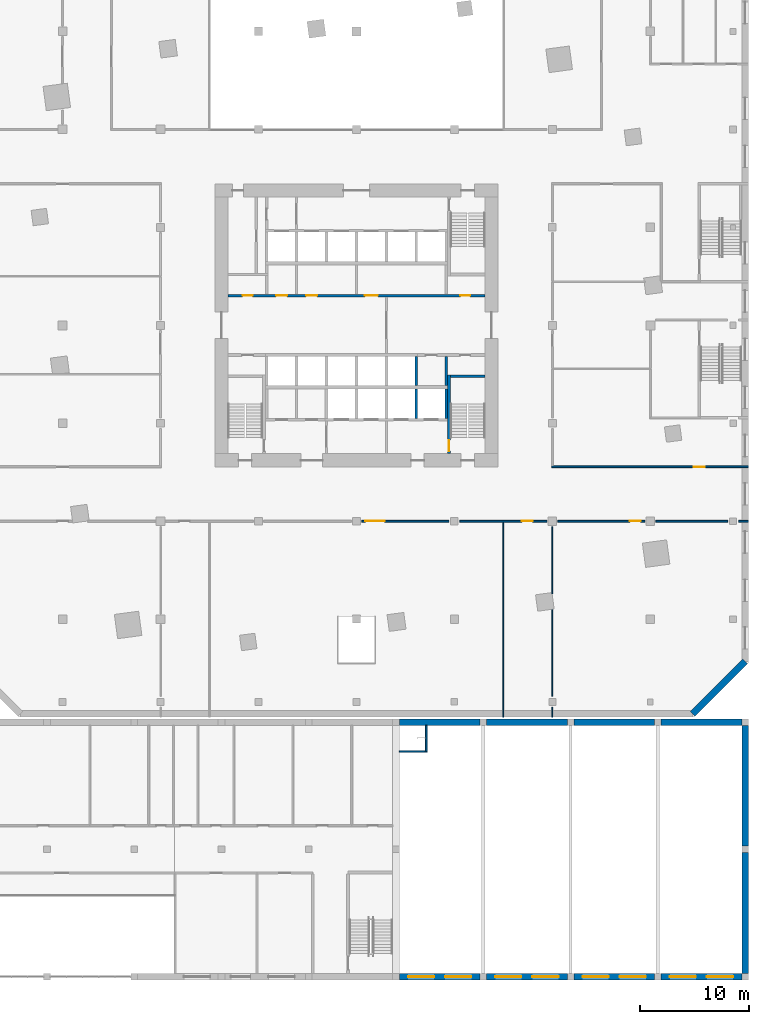
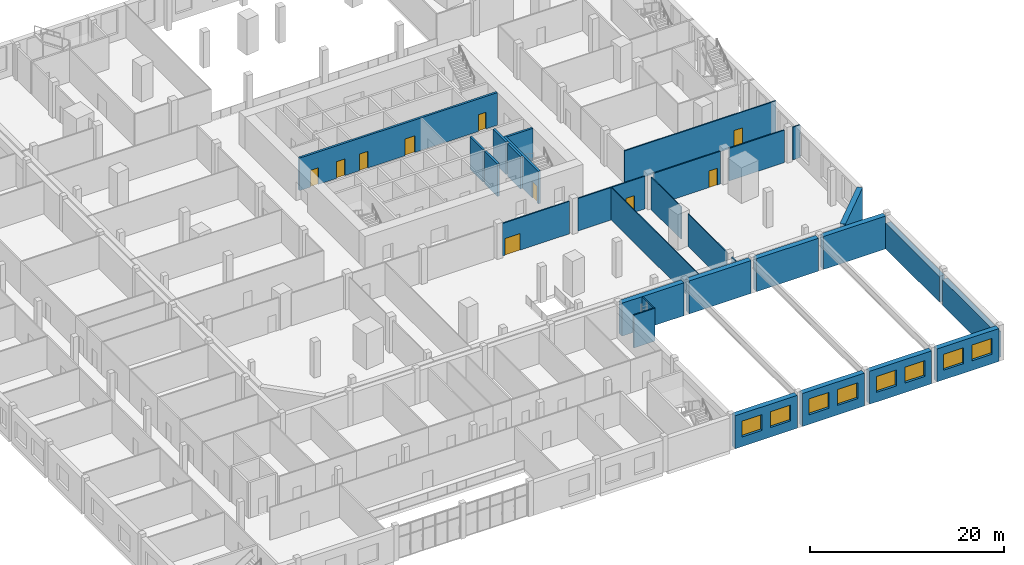
# One storey, part 13 of 27: 30 walls, 10 doors, 8 windows, 18 openings.
"""IFC4 building model written with IfcOpenShell, lengths in metres."""

from ifc_helpers import new_model, si_unit, direction, frame, frame_2d, origin, place, context, subcontext, project, spatial, rectangle, extrude, material, layer, layer_set, type_object, element, fill, save


model = new_model("IFC4")

# Units and contexts
model_context = context("Model", 3, precision=1e-05, world=origin(), true_north=direction((0.0, 1.0)))
body_context = subcontext(model_context, "Body", "Model", "MODEL_VIEW")
ifc_project = project(units=[si_unit("LENGTHUNIT", "METRE"), si_unit("AREAUNIT", "SQUARE_METRE"), si_unit("VOLUMEUNIT", "CUBIC_METRE"), si_unit("PLANEANGLEUNIT", "RADIAN"), si_unit("MASSUNIT", "GRAM", prefix="KILO")], contexts=[model_context])

# Site, building, storey
site_placement = place(None, origin())
site = spatial("IfcSite", under=ifc_project, at=site_placement, CompositionType="ELEMENT")
building_placement = place(site_placement, origin())
building = spatial("IfcBuilding", under=site, at=building_placement, Name="Dilmun Exchange Tower", CompositionType="ELEMENT")
storey_placement = place(building_placement, frame((0.0, 0.0, 4.5)))
storey = spatial("IfcBuildingStorey", under=building, at=storey_placement, Name="L01", CompositionType="ELEMENT", Elevation=4.5)

# Wall
ifc_material_1 = material(Name="Concrete C40/50", Category="concrete")
ifc_layer_1 = layer(ifc_material_1, 0.25)
ifc_layer_set_1 = layer_set([ifc_layer_1], Name="Concrete C40/50")
wall_type_1 = type_object("IfcWallType", Name="Core partition wall 250", PredefinedType="PARTITIONING", material=ifc_layer_set_1)
wall_1_placement = place(storey_placement, frame((8.25, -5.544921875, 0.0), z_axis=(0.0, 0.0, 1.0), x_axis=(0.0, 1.0, 0.0)))
element("IfcWall", 1, at=wall_1_placement, inside=storey, type_object=wall_type_1, Name="L01 core partition wall 06", PredefinedType="PARTITIONING", context=body_context, shape_type="SweptSolid", body=[
    extrude(rectangle(XDim=2.68994140625, YDim=0.25, at=frame_2d((1.344970703125, 0.0))), origin(), (0.0, 0.0, 1.0), 4.10009765625),
])

# Wall, openings, doors
wall_2_placement = place(storey_placement, frame((-11.794921875, 2.72509765625, 0.0), z_axis=(0.0, 0.0, 1.0), x_axis=(1.0, 0.0, 0.0)))
wall_2 = element("IfcWall", 2, at=wall_2_placement, inside=storey, type_object=wall_type_1, Name="L01 core partition wall 10", PredefinedType="PARTITIONING", context=body_context, shape_type="SweptSolid", body=[
    extrude(rectangle(XDim=23.58984375, YDim=0.25, at=frame_2d((11.794921875, 0.0))), origin(), (0.0, 0.0, 1.0), 4.10009765625),
])
opening_1_placement = place(wall_2_placement, frame((21.344970703125, 0.0, 0.0)))
opening_1 = element("IfcOpeningElement", 3, at=opening_1_placement, cuts=wall_2, Name="Opening CD6", PredefinedType="OPENING", context=body_context, shape_type="SweptSolid", body=[
    extrude(rectangle(XDim=0.89990234375, YDim=2.10009765625, at=frame_2d((0.449951171875, 1.050048828125))), frame((0.0, 0.135009765625, 0.0), z_axis=(0.0, -1.0, 0.0), x_axis=(1.0, 0.0, 0.0)), (0.0, 0.0, 1.0), 0.27001953125),
])
opening_2_placement = place(wall_2_placement, frame((1.344970703125, 0.0, 0.0)))
opening_2 = element("IfcOpeningElement", 4, at=opening_2_placement, cuts=wall_2, Name="Opening CD6", PredefinedType="OPENING", context=body_context, shape_type="SweptSolid", body=[
    extrude(rectangle(XDim=0.89990234375, YDim=2.10009765625, at=frame_2d((0.449951171875, 1.050048828125))), frame((0.0, 0.135009765625, 0.0), z_axis=(0.0, -1.0, 0.0), x_axis=(1.0, 0.0, 0.0)), (0.0, 0.0, 1.0), 0.27001953125),
])
opening_3_placement = place(wall_2_placement, frame((4.419921875, 0.0, 0.0)))
opening_3 = element("IfcOpeningElement", 5, at=opening_3_placement, cuts=wall_2, Name="Opening CD4", PredefinedType="OPENING", context=body_context, shape_type="SweptSolid", body=[
    extrude(rectangle(XDim=1.0, YDim=2.10009765625, at=frame_2d((0.5, 1.050048828125))), frame((0.0, 0.135009765625, 0.0), z_axis=(0.0, -1.0, 0.0), x_axis=(1.0, 0.0, 0.0)), (0.0, 0.0, 1.0), 0.27001953125),
])
opening_4_placement = place(wall_2_placement, frame((7.169921875, 0.0, 0.0)))
opening_4 = element("IfcOpeningElement", 6, at=opening_4_placement, cuts=wall_2, Name="Opening CD4", PredefinedType="OPENING", context=body_context, shape_type="SweptSolid", body=[
    extrude(rectangle(XDim=1.0, YDim=2.10009765625, at=frame_2d((0.5, 1.050048828125))), frame((0.0, 0.135009765625, 0.0), z_axis=(0.0, -1.0, 0.0), x_axis=(1.0, 0.0, 0.0)), (0.0, 0.0, 1.0), 0.27001953125),
])
opening_5_placement = place(wall_2_placement, frame((12.570068359375, 0.0, 0.0)))
opening_5 = element("IfcOpeningElement", 7, at=opening_5_placement, cuts=wall_2, Name="Opening CD3", PredefinedType="OPENING", context=body_context, shape_type="SweptSolid", body=[
    extrude(rectangle(XDim=1.199951171875, YDim=2.10009765625, at=frame_2d((0.60009765625, 1.050048828125))), frame((0.0, 0.135009765625, 0.0), z_axis=(0.0, -1.0, 0.0), x_axis=(1.0, 0.0, 0.0)), (0.0, 0.0, 1.0), 0.27001953125),
])
ifc_material_2 = material(Name="Fire-rated steel door set", Category="steel")
door_type_1 = type_object("IfcDoorType", Name="Core room door 1000x2100", OperationType="SINGLE_SWING_LEFT", PredefinedType="DOOR", material=ifc_material_2)
door_1_placement = place(opening_3_placement, origin())
door_1 = element("IfcDoor", 8, at=door_1_placement, inside=storey, type_object=door_type_1, Name="L01 door Pantry", OperationType="SINGLE_SWING_RIGHT", OverallHeight=2.10009765625, OverallWidth=1.0, PredefinedType="DOOR", context=body_context, shape_type="SweptSolid", body=[
    extrude(rectangle(XDim=1.0, YDim=2.10009765625, at=frame_2d((0.5, 1.050048828125))), frame((0.0, 0.02490234375, 0.0), z_axis=(0.0, -1.0, 0.0), x_axis=(1.0, 0.0, 0.0)), (0.0, 0.0, 1.0), 0.050048828125),
])
fill(opening_3, door_1)
door_2_placement = place(opening_4_placement, origin())
door_2 = element("IfcDoor", 9, at=door_2_placement, inside=storey, type_object=door_type_1, Name="L01 door Print and mail room", OperationType="SINGLE_SWING_RIGHT", OverallHeight=2.10009765625, OverallWidth=1.0, PredefinedType="DOOR", context=body_context, shape_type="SweptSolid", body=[
    extrude(rectangle(XDim=1.0, YDim=2.10009765625, at=frame_2d((0.5, 1.050048828125))), frame((0.0, 0.02490234375, 0.0), z_axis=(0.0, -1.0, 0.0), x_axis=(1.0, 0.0, 0.0)), (0.0, 0.0, 1.0), 0.050048828125),
])
fill(opening_4, door_2)
door_type_2 = type_object("IfcDoorType", Name="Core room door 900x2100", OperationType="SINGLE_SWING_LEFT", PredefinedType="DOOR", material=ifc_material_2)
door_3_placement = place(opening_1_placement, origin())
door_3 = element("IfcDoor", 10, at=door_3_placement, inside=storey, type_object=door_type_2, Name="L01 door Electrical riser", OperationType="SINGLE_SWING_RIGHT", OverallHeight=2.10009765625, OverallWidth=0.89990234375, PredefinedType="DOOR", context=body_context, shape_type="SweptSolid", body=[
    extrude(rectangle(XDim=0.89990234375, YDim=2.10009765625, at=frame_2d((0.449951171875, 1.050048828125))), frame((0.0, 0.02490234375, 0.0), z_axis=(0.0, -1.0, 0.0), x_axis=(1.0, 0.0, 0.0)), (0.0, 0.0, 1.0), 0.050048828125),
])
fill(opening_1, door_3)
door_4_placement = place(opening_2_placement, origin())
door_4 = element("IfcDoor", 11, at=door_4_placement, inside=storey, type_object=door_type_2, Name="L01 door Plumbing riser", OperationType="SINGLE_SWING_RIGHT", OverallHeight=2.10009765625, OverallWidth=0.89990234375, PredefinedType="DOOR", context=body_context, shape_type="SweptSolid", body=[
    extrude(rectangle(XDim=0.89990234375, YDim=2.10009765625, at=frame_2d((0.449951171875, 1.050048828125))), frame((0.0, 0.02490234375, 0.0), z_axis=(0.0, -1.0, 0.0), x_axis=(1.0, 0.0, 0.0)), (0.0, 0.0, 1.0), 0.050048828125),
])
fill(opening_2, door_4)
door_type_3 = type_object("IfcDoorType", Name="Stair exit door 1200x2100", OperationType="SINGLE_SWING_LEFT", PredefinedType="DOOR", material=ifc_material_2)
door_5_placement = place(opening_5_placement, origin())
door_5 = element("IfcDoor", 12, at=door_5_placement, inside=storey, type_object=door_type_3, Name="L01 door Building management office", OperationType="SINGLE_SWING_LEFT", OverallHeight=2.10009765625, OverallWidth=1.199951171875, PredefinedType="DOOR", context=body_context, shape_type="SweptSolid", body=[
    extrude(rectangle(XDim=1.199951171875, YDim=2.10009765625, at=frame_2d((0.60009765625, 1.050048828125))), frame((0.0, 0.02490234375, 0.0), z_axis=(0.0, -1.0, 0.0), x_axis=(1.0, 0.0, 0.0)), (0.0, 0.0, 1.0), 0.050048828125),
])
fill(opening_5, door_5)

# Wall, opening, door
ifc_material_3 = material(Name="Fire partition EI 60 150 gypsum")
ifc_layer_2 = layer(ifc_material_3, 0.14990234375)
ifc_layer_set_2 = layer_set([ifc_layer_2], Name="Fire partition EI 60 150 gypsum")
wall_type_2 = type_object("IfcWallType", Name="Fire partition EI 60 150 gypsum", PredefinedType="PARTITIONING", material=ifc_layer_set_2)
wall_3_placement = place(storey_placement, frame((0.5, -18.0, 0.0), z_axis=(0.0, 0.0, 1.0), x_axis=(1.0, 0.0, 0.0)))
wall_3 = element("IfcWall", 13, at=wall_3_placement, inside=storey, type_object=wall_type_2, Name="L01 partition", PredefinedType="PARTITIONING", context=body_context, shape_type="SweptSolid", body=[
    extrude(rectangle(XDim=8.0, YDim=0.14990234375, at=frame_2d((4.0, 0.0))), origin(), (0.0, 0.0, 1.0), 4.10009765625),
])
opening_6_placement = place(wall_3_placement, frame((0.300048828125, 0.0, 0.0)))
opening_6 = element("IfcOpeningElement", 14, at=opening_6_placement, cuts=wall_3, Name="Opening L01-D013", PredefinedType="OPENING", context=body_context, shape_type="SweptSolid", body=[
    extrude(rectangle(XDim=1.800048828125, YDim=2.10009765625, at=frame_2d((0.89990234375, 1.050048828125))), frame((0.0, 0.0849609375, 0.0), z_axis=(0.0, -1.0, 0.0), x_axis=(1.0, 0.0, 0.0)), (0.0, 0.0, 1.0), 0.169921875),
])
ifc_material_4 = material(Name="Fire door FD60 double 1800 x 2100")
door_type_4 = type_object("IfcDoorType", Name="Fire door FD60 double 1800 x 2100", OperationType="DOUBLE_DOOR_SINGLE_SWING", PredefinedType="DOOR", material=ifc_material_4)
door_6_placement = place(opening_6_placement, origin())
door_6 = element("IfcDoor", 15, at=door_6_placement, inside=storey, type_object=door_type_4, Name="L01 door L01-D013", OperationType="DOUBLE_DOOR_SINGLE_SWING", OverallHeight=2.10009765625, OverallWidth=1.800048828125, PredefinedType="DOOR", context=body_context, shape_type="SweptSolid", body=[
    extrude(rectangle(XDim=1.800048828125, YDim=2.10009765625, at=frame_2d((0.89990234375, 1.050048828125))), frame((0.0, 0.02490234375, 0.0), z_axis=(0.0, -1.0, 0.0), x_axis=(1.0, 0.0, 0.0)), (0.0, 0.0, 1.0), 0.050048828125),
])
fill(opening_6, door_6)

wall_4_placement = place(storey_placement, frame((9.5, -18.0, 0.0), z_axis=(0.0, 0.0, 1.0), x_axis=(1.0, 0.0, 0.0)))
wall_4 = element("IfcWall", 16, at=wall_4_placement, inside=storey, type_object=wall_type_2, Name="L01 partition", PredefinedType="PARTITIONING", context=body_context, shape_type="SweptSolid", body=[
    extrude(rectangle(XDim=8.0, YDim=0.14990234375, at=frame_2d((4.0, 0.0))), origin(), (0.0, 0.0, 1.0), 4.10009765625),
])
opening_7_placement = place(wall_4_placement, frame((5.699951171875, 0.0, 0.0)))
opening_7 = element("IfcOpeningElement", 17, at=opening_7_placement, cuts=wall_4, Name="Opening L01-D014", PredefinedType="OPENING", context=body_context, shape_type="SweptSolid", body=[
    extrude(rectangle(XDim=1.0, YDim=2.10009765625, at=frame_2d((0.5, 1.050048828125))), frame((0.0, 0.0849609375, 0.0), z_axis=(0.0, -1.0, 0.0), x_axis=(1.0, 0.0, 0.0)), (0.0, 0.0, 1.0), 0.169921875),
])
ifc_material_5 = material(Name="Fire door FD60 1000 x 2100")
door_type_5 = type_object("IfcDoorType", Name="Fire door FD60 1000 x 2100", OperationType="SINGLE_SWING_LEFT", PredefinedType="DOOR", material=ifc_material_5)
door_7_placement = place(opening_7_placement, origin())
door_7 = element("IfcDoor", 18, at=door_7_placement, inside=storey, type_object=door_type_5, Name="L01 door L01-D014", OperationType="SINGLE_SWING_RIGHT", OverallHeight=2.10009765625, OverallWidth=1.0, PredefinedType="DOOR", context=body_context, shape_type="SweptSolid", body=[
    extrude(rectangle(XDim=1.0, YDim=2.10009765625, at=frame_2d((0.5, 1.050048828125))), frame((0.0, 0.02490234375, 0.0), z_axis=(0.0, -1.0, 0.0), x_axis=(1.0, 0.0, 0.0)), (0.0, 0.0, 1.0), 0.050048828125),
])
fill(opening_7, door_7)

wall_5_placement = place(storey_placement, frame((18.5, -18.0, 0.0), z_axis=(0.0, 0.0, 1.0), x_axis=(1.0, 0.0, 0.0)))
wall_5 = element("IfcWall", 19, at=wall_5_placement, inside=storey, type_object=wall_type_2, Name="L01 partition", PredefinedType="PARTITIONING", context=body_context, shape_type="SweptSolid", body=[
    extrude(rectangle(XDim=8.0, YDim=0.14990234375, at=frame_2d((4.0, 0.0))), origin(), (0.0, 0.0, 1.0), 4.10009765625),
])
opening_8_placement = place(wall_5_placement, frame((6.60009765625, 0.0, 0.0)))
opening_8 = element("IfcOpeningElement", 20, at=opening_8_placement, cuts=wall_5, Name="Opening L01-D015", PredefinedType="OPENING", context=body_context, shape_type="SweptSolid", body=[
    extrude(rectangle(XDim=1.0, YDim=2.10009765625, at=frame_2d((0.5, 1.050048828125))), frame((0.0, 0.0849609375, 0.0), z_axis=(0.0, -1.0, 0.0), x_axis=(1.0, 0.0, 0.0)), (0.0, 0.0, 1.0), 0.169921875),
])
door_8_placement = place(opening_8_placement, origin())
door_8 = element("IfcDoor", 21, at=door_8_placement, inside=storey, type_object=door_type_5, Name="L01 door L01-D015", OperationType="SINGLE_SWING_LEFT", OverallHeight=2.10009765625, OverallWidth=1.0, PredefinedType="DOOR", context=body_context, shape_type="SweptSolid", body=[
    extrude(rectangle(XDim=1.0, YDim=2.10009765625, at=frame_2d((0.5, 1.050048828125))), frame((0.0, 0.02490234375, 0.0), z_axis=(0.0, -1.0, 0.0), x_axis=(1.0, 0.0, 0.0)), (0.0, 0.0, 1.0), 0.050048828125),
])
fill(opening_8, door_8)

# Walls
wall_6_placement = place(storey_placement, frame((27.5, -18.0, 0.0), z_axis=(0.0, 0.0, 1.0), x_axis=(1.0, 0.0, 0.0)))
element("IfcWall", 22, at=wall_6_placement, inside=storey, type_object=wall_type_2, Name="L01 partition", PredefinedType="PARTITIONING", context=body_context, shape_type="SweptSolid", body=[
    extrude(rectangle(XDim=6.60009765625, YDim=0.14990234375, at=frame_2d((3.300048828125, 0.0))), origin(), (0.0, 0.0, 1.0), 4.10009765625),
])
wall_7_placement = place(storey_placement, frame((35.10009765625, -18.0, 0.0), z_axis=(0.0, 0.0, 1.0), x_axis=(1.0, 0.0, 0.0)))
element("IfcWall", 23, at=wall_7_placement, inside=storey, type_object=wall_type_2, Name="L01 partition", PredefinedType="PARTITIONING", context=body_context, shape_type="SweptSolid", body=[
    extrude(rectangle(XDim=0.89990234375, YDim=0.14990234375, at=frame_2d((0.449951171875, 0.0))), origin(), (0.0, 0.0, 1.0), 4.10009765625),
])

# Wall, opening, door
wall_8_placement = place(storey_placement, frame((17.925048828125, -13.0, 0.0), z_axis=(0.0, 0.0, 1.0), x_axis=(1.0, 0.0, 0.0)))
wall_8 = element("IfcWall", 24, at=wall_8_placement, inside=storey, type_object=wall_type_2, Name="L01 partition", PredefinedType="PARTITIONING", context=body_context, shape_type="SweptSolid", body=[
    extrude(rectangle(XDim=18.074951171875, YDim=0.14990234375, at=frame_2d((9.03759765625, 0.0))), origin(), (0.0, 0.0, 1.0), 4.10009765625),
])
opening_9_placement = place(wall_8_placement, frame((13.074951171875, 0.0, 0.0)))
opening_9 = element("IfcOpeningElement", 25, at=opening_9_placement, cuts=wall_8, Name="Opening L01-D019", PredefinedType="OPENING", context=body_context, shape_type="SweptSolid", body=[
    extrude(rectangle(XDim=1.0, YDim=2.10009765625, at=frame_2d((0.5, 1.050048828125))), frame((0.0, 0.0849609375, 0.0), z_axis=(0.0, -1.0, 0.0), x_axis=(1.0, 0.0, 0.0)), (0.0, 0.0, 1.0), 0.169921875),
])
door_9_placement = place(opening_9_placement, origin())
door_9 = element("IfcDoor", 26, at=door_9_placement, inside=storey, type_object=door_type_5, Name="L01 door L01-D019", OperationType="SINGLE_SWING_LEFT", OverallHeight=2.10009765625, OverallWidth=1.0, PredefinedType="DOOR", context=body_context, shape_type="SweptSolid", body=[
    extrude(rectangle(XDim=1.0, YDim=2.10009765625, at=frame_2d((0.5, 1.050048828125))), frame((0.0, 0.02490234375, 0.0), z_axis=(0.0, -1.0, 0.0), x_axis=(1.0, 0.0, 0.0)), (0.0, 0.0, 1.0), 0.050048828125),
])
fill(opening_9, door_9)

# Walls
ifc_layer_3 = layer(ifc_material_1, 0.25)
ifc_layer_set_3 = layer_set([ifc_layer_3], Name="Concrete C40/50")
wall_type_3 = type_object("IfcWallType", Name="Lift shaft wall 250", PredefinedType="SOLIDWALL", material=ifc_layer_set_3)
for number, where, z_axis, x_axis, name in (
    (27, (5.5, -5.550048828125, 0.0), (0.0, 0.0, 1.0), (0.0, 1.0, 0.0), "L01 lift shaft divider S15"),
    (28, (5.5, -8.550048828125, 0.0), (0.0, 0.0, 1.0), (0.0, 1.0, 0.0), "L01 lift shaft divider S25"),
    (29, (8.25, -8.550048828125, 0.0), (0.0, 0.0, 1.0), (0.0, 1.0, 0.0), "L01 lift shaft divider S26"),
):
    element("IfcWall", number, at=place(storey_placement, frame(where, z_axis=z_axis, x_axis=x_axis)), inside=storey, type_object=wall_type_3, Name=name, PredefinedType="SOLIDWALL", context=body_context, shape_type="SweptSolid", body=[
        extrude(rectangle(XDim=2.699951171875, YDim=0.25, at=frame_2d((1.35009765625, 0.0))), origin(), (0.0, 0.0, 1.0), 4.10009765625),
    ])
ifc_material_6 = material(Name="Partition 100 gypsum")
ifc_layer_4 = layer(ifc_material_6, 0.10009765625)
ifc_layer_set_4 = layer_set([ifc_layer_4], Name="Partition 100 gypsum")
wall_type_4 = type_object("IfcWallType", Name="Partition 100 gypsum", PredefinedType="PARTITIONING", material=ifc_layer_set_4)
wall_9_placement = place(storey_placement, frame((13.5, -36.0, 0.0), z_axis=(0.0, 0.0, 1.0), x_axis=(0.0, 1.0, 0.0)))
element("IfcWall", 30, at=wall_9_placement, inside=storey, type_object=wall_type_4, Name="L01 partition", PredefinedType="PARTITIONING", context=body_context, shape_type="SweptSolid", body=[
    extrude(rectangle(XDim=17.925048828125, YDim=0.10009765625, at=frame_2d((8.96240234375, 0.0))), origin(), (0.0, 0.0, 1.0), 4.10009765625),
])
wall_10_placement = place(storey_placement, frame((18.0, -36.0, 0.0), z_axis=(0.0, 0.0, 1.0), x_axis=(0.0, 1.0, 0.0)))
element("IfcWall", 31, at=wall_10_placement, inside=storey, type_object=wall_type_4, Name="L01 partition", PredefinedType="PARTITIONING", context=body_context, shape_type="SweptSolid", body=[
    extrude(rectangle(XDim=0.89990234375, YDim=0.10009765625, at=frame_2d((0.449951171875, 0.0))), origin(), (0.0, 0.0, 1.0), 4.10009765625),
])
wall_11_placement = place(storey_placement, frame((18.0, -34.10009765625, 0.0), z_axis=(0.0, 0.0, 1.0), x_axis=(0.0, 1.0, 0.0)))
element("IfcWall", 32, at=wall_11_placement, inside=storey, type_object=wall_type_4, Name="L01 partition", PredefinedType="PARTITIONING", context=body_context, shape_type="SweptSolid", body=[
    extrude(rectangle(XDim=7.956787109375, YDim=0.10009765625, at=frame_2d((3.978515625, 0.0))), origin(), (0.0, 0.0, 1.0), 4.10009765625),
])
wall_12_placement = place(storey_placement, frame((18.0, -24.680908203125, 0.0), z_axis=(0.0, 0.0, 1.0), x_axis=(0.0, 1.0, 0.0)))
element("IfcWall", 33, at=wall_12_placement, inside=storey, type_object=wall_type_4, Name="L01 partition", PredefinedType="PARTITIONING", context=body_context, shape_type="SweptSolid", body=[
    extrude(rectangle(XDim=6.180908203125, YDim=0.10009765625, at=frame_2d((3.09033203125, 0.0))), origin(), (0.0, 0.0, 1.0), 4.10009765625),
])
ifc_material_7 = material(Name="Precast concrete C50/60", Category="concrete")
ifc_layer_5 = layer(ifc_material_7, 0.60009765625)
ifc_layer_set_5 = layer_set([ifc_layer_5], Name="Precast concrete C50/60")
wall_type_5 = type_object("IfcWallType", Name="Precast stone-clad wall 600", PredefinedType="STANDARD", material=ifc_layer_set_5)
wall_13_placement = place(storey_placement, frame((30.875732421875, -35.699951171875, 0.0), z_axis=(0.0, 0.0, 1.0), x_axis=(0.707106781187, 0.707106781187, 0.0)))
element("IfcWall", 34, at=wall_13_placement, inside=storey, type_object=wall_type_5, Name="Facade wall L01-01-0", PredefinedType="STANDARD", context=body_context, shape_type="SweptSolid", body=[
    extrude(rectangle(XDim=6.822509765625, YDim=0.60009765625, at=frame_2d((3.4111328125, 0.0))), origin(), (0.0, 0.0, 1.0), 4.10009765625),
])
ifc_layer_6 = layer(ifc_material_1, 0.60009765625)
ifc_layer_set_6 = layer_set([ifc_layer_6], Name="Concrete C40/50")
wall_type_6 = type_object("IfcWallType", Name="School sports hall wall 600 C40/50", PredefinedType="SOLIDWALL", material=ifc_layer_set_6)
for number, where, z_axis, x_axis, name in (
    (35, (3.933349609375, -36.449951171875, 0.0), (0.0, 0.0, 1.0), (1.0, 0.0, 0.0), "School external wall"),
    (36, (11.949951171875, -36.449951171875, 0.0), (0.0, 0.0, 1.0), (1.0, 0.0, 0.0), "School external wall"),
):
    element("IfcWall", number, at=place(storey_placement, frame(where, z_axis=z_axis, x_axis=x_axis)), inside=storey, type_object=wall_type_6, Name=name, PredefinedType="SOLIDWALL", context=body_context, shape_type="SweptSolid", body=[
        extrude(rectangle(XDim=7.416748046875, YDim=0.60009765625, at=frame_2d((3.70849609375, 0.0))), origin(), (0.0, 0.0, 1.0), 4.14990234375),
    ])
for number, where, z_axis, x_axis, name in (
    (37, (19.966796875, -36.449951171875, 0.0), (0.0, 0.0, 1.0), (1.0, 0.0, 0.0), "School external wall"),
    (38, (27.9833984375, -36.449951171875, 0.0), (0.0, 0.0, 1.0), (1.0, 0.0, 0.0), "School external wall"),
):
    element("IfcWall", number, at=place(storey_placement, frame(where, z_axis=z_axis, x_axis=x_axis)), inside=storey, type_object=wall_type_6, Name=name, PredefinedType="SOLIDWALL", context=body_context, shape_type="SweptSolid", body=[
        extrude(rectangle(XDim=7.41650390625, YDim=0.60009765625, at=frame_2d((3.708251953125, 0.0))), origin(), (0.0, 0.0, 1.0), 4.14990234375),
    ])
for number, where, z_axis, x_axis, name in (
    (39, (35.699951171875, -36.75, 0.0), (0.0, 0.0, 1.0), (0.0, -1.0, 0.0), "School external wall"),
    (40, (35.699951171875, -48.449951171875, 0.0), (0.0, 0.0, 1.0), (0.0, -1.0, 0.0), "School external wall"),
):
    element("IfcWall", number, at=place(storey_placement, frame(where, z_axis=z_axis, x_axis=x_axis)), inside=storey, type_object=wall_type_6, Name=name, PredefinedType="SOLIDWALL", context=body_context, shape_type="SweptSolid", body=[
        extrude(rectangle(XDim=11.10009765625, YDim=0.60009765625, at=frame_2d((5.550048828125, 0.0))), origin(), (0.0, 0.0, 1.0), 3.25),
    ])

# Wall, openings, windows
wall_14_placement = place(storey_placement, frame((35.39990234375, -59.85009765625, 0.0), z_axis=(0.0, 0.0, 1.0), x_axis=(-1.0, 0.0, 0.0)))
wall_14 = element("IfcWall", 41, at=wall_14_placement, inside=storey, type_object=wall_type_6, Name="School external wall", PredefinedType="SOLIDWALL", context=body_context, shape_type="SweptSolid", body=[
    extrude(rectangle(XDim=7.41650390625, YDim=0.60009765625, at=frame_2d((3.708251953125, 0.0))), origin(), (0.0, 0.0, 1.0), 4.14990234375),
])
opening_10_placement = place(wall_14_placement, frame((0.802490234375, 0.0, 1.199951171875)))
opening_10 = element("IfcOpeningElement", 42, at=opening_10_placement, cuts=wall_14, Name="Opening SCH-W99", PredefinedType="OPENING", context=body_context, shape_type="SweptSolid", body=[
    extrude(rectangle(XDim=2.39990234375, YDim=2.0, at=frame_2d((1.199951171875, 1.0))), frame((0.0, 0.31005859375, 0.0), z_axis=(0.0, -1.0, 0.0), x_axis=(1.0, 0.0, 0.0)), (0.0, 0.0, 1.0), 0.6201171875),
])
opening_11_placement = place(wall_14_placement, frame((4.214111328125, 0.0, 1.199951171875)))
opening_11 = element("IfcOpeningElement", 43, at=opening_11_placement, cuts=wall_14, Name="Opening SCH-W99", PredefinedType="OPENING", context=body_context, shape_type="SweptSolid", body=[
    extrude(rectangle(XDim=2.39990234375, YDim=2.0, at=frame_2d((1.199951171875, 1.0))), frame((0.0, 0.31005859375, 0.0), z_axis=(0.0, -1.0, 0.0), x_axis=(1.0, 0.0, 0.0)), (0.0, 0.0, 1.0), 0.6201171875),
])
ifc_material_8 = material(Name="Clear low-emissivity glass in aluminium frame", Category="aluminium")
window_type = type_object("IfcWindowType", Name="School hall window 2400 x 2000", PartitioningType="DOUBLE_PANEL_VERTICAL", PredefinedType="WINDOW", material=ifc_material_8)
window_1_placement = place(opening_10_placement, origin())
window_1 = element("IfcWindow", 44, at=window_1_placement, inside=storey, type_object=window_type, Name="School hall window", OverallHeight=2.0, OverallWidth=2.39990234375, PartitioningType="SINGLE_PANEL", PredefinedType="WINDOW", context=body_context, shape_type="SweptSolid", body=[
    extrude(rectangle(XDim=2.39990234375, YDim=2.0, at=frame_2d((1.199951171875, 1.0))), frame((0.0, 0.030029296875, 0.0), z_axis=(0.0, -1.0, 0.0), x_axis=(1.0, 0.0, 0.0)), (0.0, 0.0, 1.0), 0.06005859375),
])
fill(opening_10, window_1)
window_2_placement = place(opening_11_placement, origin())
window_2 = element("IfcWindow", 45, at=window_2_placement, inside=storey, type_object=window_type, Name="School hall window", OverallHeight=2.0, OverallWidth=2.39990234375, PartitioningType="SINGLE_PANEL", PredefinedType="WINDOW", context=body_context, shape_type="SweptSolid", body=[
    extrude(rectangle(XDim=2.39990234375, YDim=2.0, at=frame_2d((1.199951171875, 1.0))), frame((0.0, 0.030029296875, 0.0), z_axis=(0.0, -1.0, 0.0), x_axis=(1.0, 0.0, 0.0)), (0.0, 0.0, 1.0), 0.06005859375),
])
fill(opening_11, window_2)

wall_15_placement = place(storey_placement, frame((27.38330078125, -59.85009765625, 0.0), z_axis=(0.0, 0.0, 1.0), x_axis=(-1.0, 0.0, 0.0)))
wall_15 = element("IfcWall", 46, at=wall_15_placement, inside=storey, type_object=wall_type_6, Name="School external wall", PredefinedType="SOLIDWALL", context=body_context, shape_type="SweptSolid", body=[
    extrude(rectangle(XDim=7.41650390625, YDim=0.60009765625, at=frame_2d((3.708251953125, 0.0))), origin(), (0.0, 0.0, 1.0), 4.14990234375),
])
opening_12_placement = place(wall_15_placement, frame((0.802490234375, 0.0, 1.199951171875)))
opening_12 = element("IfcOpeningElement", 47, at=opening_12_placement, cuts=wall_15, Name="Opening SCH-W99", PredefinedType="OPENING", context=body_context, shape_type="SweptSolid", body=[
    extrude(rectangle(XDim=2.39990234375, YDim=2.0, at=frame_2d((1.199951171875, 1.0))), frame((0.0, 0.31005859375, 0.0), z_axis=(0.0, -1.0, 0.0), x_axis=(1.0, 0.0, 0.0)), (0.0, 0.0, 1.0), 0.6201171875),
])
opening_13_placement = place(wall_15_placement, frame((4.214111328125, 0.0, 1.199951171875)))
opening_13 = element("IfcOpeningElement", 48, at=opening_13_placement, cuts=wall_15, Name="Opening SCH-W99", PredefinedType="OPENING", context=body_context, shape_type="SweptSolid", body=[
    extrude(rectangle(XDim=2.39990234375, YDim=2.0, at=frame_2d((1.199951171875, 1.0))), frame((0.0, 0.31005859375, 0.0), z_axis=(0.0, -1.0, 0.0), x_axis=(1.0, 0.0, 0.0)), (0.0, 0.0, 1.0), 0.6201171875),
])
window_3_placement = place(opening_12_placement, origin())
window_3 = element("IfcWindow", 49, at=window_3_placement, inside=storey, type_object=window_type, Name="School hall window", OverallHeight=2.0, OverallWidth=2.39990234375, PartitioningType="SINGLE_PANEL", PredefinedType="WINDOW", context=body_context, shape_type="SweptSolid", body=[
    extrude(rectangle(XDim=2.39990234375, YDim=2.0, at=frame_2d((1.199951171875, 1.0))), frame((0.0, 0.030029296875, 0.0), z_axis=(0.0, -1.0, 0.0), x_axis=(1.0, 0.0, 0.0)), (0.0, 0.0, 1.0), 0.06005859375),
])
fill(opening_12, window_3)
window_4_placement = place(opening_13_placement, origin())
window_4 = element("IfcWindow", 50, at=window_4_placement, inside=storey, type_object=window_type, Name="School hall window", OverallHeight=2.0, OverallWidth=2.39990234375, PartitioningType="SINGLE_PANEL", PredefinedType="WINDOW", context=body_context, shape_type="SweptSolid", body=[
    extrude(rectangle(XDim=2.39990234375, YDim=2.0, at=frame_2d((1.199951171875, 1.0))), frame((0.0, 0.030029296875, 0.0), z_axis=(0.0, -1.0, 0.0), x_axis=(1.0, 0.0, 0.0)), (0.0, 0.0, 1.0), 0.06005859375),
])
fill(opening_13, window_4)

wall_16_placement = place(storey_placement, frame((19.36669921875, -59.85009765625, 0.0), z_axis=(0.0, 0.0, 1.0), x_axis=(-1.0, 0.0, 0.0)))
wall_16 = element("IfcWall", 51, at=wall_16_placement, inside=storey, type_object=wall_type_6, Name="School external wall", PredefinedType="SOLIDWALL", context=body_context, shape_type="SweptSolid", body=[
    extrude(rectangle(XDim=7.416748046875, YDim=0.60009765625, at=frame_2d((3.70849609375, 0.0))), origin(), (0.0, 0.0, 1.0), 4.14990234375),
])
opening_14_placement = place(wall_16_placement, frame((0.802490234375, 0.0, 1.199951171875)))
opening_14 = element("IfcOpeningElement", 52, at=opening_14_placement, cuts=wall_16, Name="Opening SCH-W99", PredefinedType="OPENING", context=body_context, shape_type="SweptSolid", body=[
    extrude(rectangle(XDim=2.39990234375, YDim=2.0, at=frame_2d((1.199951171875, 1.0))), frame((0.0, 0.31005859375, 0.0), z_axis=(0.0, -1.0, 0.0), x_axis=(1.0, 0.0, 0.0)), (0.0, 0.0, 1.0), 0.6201171875),
])
opening_15_placement = place(wall_16_placement, frame((4.214111328125, 0.0, 1.199951171875)))
opening_15 = element("IfcOpeningElement", 53, at=opening_15_placement, cuts=wall_16, Name="Opening SCH-W99", PredefinedType="OPENING", context=body_context, shape_type="SweptSolid", body=[
    extrude(rectangle(XDim=2.39990234375, YDim=2.0, at=frame_2d((1.199951171875, 1.0))), frame((0.0, 0.31005859375, 0.0), z_axis=(0.0, -1.0, 0.0), x_axis=(1.0, 0.0, 0.0)), (0.0, 0.0, 1.0), 0.6201171875),
])
window_5_placement = place(opening_14_placement, origin())
window_5 = element("IfcWindow", 54, at=window_5_placement, inside=storey, type_object=window_type, Name="School hall window", OverallHeight=2.0, OverallWidth=2.39990234375, PartitioningType="SINGLE_PANEL", PredefinedType="WINDOW", context=body_context, shape_type="SweptSolid", body=[
    extrude(rectangle(XDim=2.39990234375, YDim=2.0, at=frame_2d((1.199951171875, 1.0))), frame((0.0, 0.030029296875, 0.0), z_axis=(0.0, -1.0, 0.0), x_axis=(1.0, 0.0, 0.0)), (0.0, 0.0, 1.0), 0.06005859375),
])
fill(opening_14, window_5)
window_6_placement = place(opening_15_placement, origin())
window_6 = element("IfcWindow", 55, at=window_6_placement, inside=storey, type_object=window_type, Name="School hall window", OverallHeight=2.0, OverallWidth=2.39990234375, PartitioningType="SINGLE_PANEL", PredefinedType="WINDOW", context=body_context, shape_type="SweptSolid", body=[
    extrude(rectangle(XDim=2.39990234375, YDim=2.0, at=frame_2d((1.199951171875, 1.0))), frame((0.0, 0.030029296875, 0.0), z_axis=(0.0, -1.0, 0.0), x_axis=(1.0, 0.0, 0.0)), (0.0, 0.0, 1.0), 0.06005859375),
])
fill(opening_15, window_6)

wall_17_placement = place(storey_placement, frame((11.35009765625, -59.85009765625, 0.0), z_axis=(0.0, 0.0, 1.0), x_axis=(-1.0, 0.0, 0.0)))
wall_17 = element("IfcWall", 56, at=wall_17_placement, inside=storey, type_object=wall_type_6, Name="School external wall", PredefinedType="SOLIDWALL", context=body_context, shape_type="SweptSolid", body=[
    extrude(rectangle(XDim=7.416748046875, YDim=0.60009765625, at=frame_2d((3.70849609375, 0.0))), origin(), (0.0, 0.0, 1.0), 4.14990234375),
])
opening_16_placement = place(wall_17_placement, frame((0.802490234375, 0.0, 1.199951171875)))
opening_16 = element("IfcOpeningElement", 57, at=opening_16_placement, cuts=wall_17, Name="Opening SCH-W99", PredefinedType="OPENING", context=body_context, shape_type="SweptSolid", body=[
    extrude(rectangle(XDim=2.39990234375, YDim=2.0, at=frame_2d((1.199951171875, 1.0))), frame((0.0, 0.31005859375, 0.0), z_axis=(0.0, -1.0, 0.0), x_axis=(1.0, 0.0, 0.0)), (0.0, 0.0, 1.0), 0.6201171875),
])
opening_17_placement = place(wall_17_placement, frame((4.214111328125, 0.0, 1.199951171875)))
opening_17 = element("IfcOpeningElement", 58, at=opening_17_placement, cuts=wall_17, Name="Opening SCH-W99", PredefinedType="OPENING", context=body_context, shape_type="SweptSolid", body=[
    extrude(rectangle(XDim=2.39990234375, YDim=2.0, at=frame_2d((1.199951171875, 1.0))), frame((0.0, 0.31005859375, 0.0), z_axis=(0.0, -1.0, 0.0), x_axis=(1.0, 0.0, 0.0)), (0.0, 0.0, 1.0), 0.6201171875),
])
window_7_placement = place(opening_16_placement, origin())
window_7 = element("IfcWindow", 59, at=window_7_placement, inside=storey, type_object=window_type, Name="School hall window", OverallHeight=2.0, OverallWidth=2.39990234375, PartitioningType="SINGLE_PANEL", PredefinedType="WINDOW", context=body_context, shape_type="SweptSolid", body=[
    extrude(rectangle(XDim=2.39990234375, YDim=2.0, at=frame_2d((1.199951171875, 1.0))), frame((0.0, 0.030029296875, 0.0), z_axis=(0.0, -1.0, 0.0), x_axis=(1.0, 0.0, 0.0)), (0.0, 0.0, 1.0), 0.06005859375),
])
fill(opening_16, window_7)
window_8_placement = place(opening_17_placement, origin())
window_8 = element("IfcWindow", 60, at=window_8_placement, inside=storey, type_object=window_type, Name="School hall window", OverallHeight=2.0, OverallWidth=2.39990234375, PartitioningType="SINGLE_PANEL", PredefinedType="WINDOW", context=body_context, shape_type="SweptSolid", body=[
    extrude(rectangle(XDim=2.39990234375, YDim=2.0, at=frame_2d((1.199951171875, 1.0))), frame((0.0, 0.030029296875, 0.0), z_axis=(0.0, -1.0, 0.0), x_axis=(1.0, 0.0, 0.0)), (0.0, 0.0, 1.0), 0.06005859375),
])
fill(opening_17, window_8)

# Walls
ifc_layer_7 = layer(ifc_material_1, 0.25)
ifc_layer_set_7 = layer_set([ifc_layer_7], Name="Concrete C40/50")
wall_type_7 = type_object("IfcWallType", Name="School stair and lift wall 250 C40/50", PredefinedType="SHEAR", material=ifc_layer_set_7)
wall_18_placement = place(storey_placement, frame((3.93310546875, -39.14990234375, 0.0), z_axis=(0.0, 0.0, 1.0), x_axis=(1.0, 0.0, 0.0)))
element("IfcWall", 61, at=wall_18_placement, inside=storey, type_object=wall_type_7, Name="School roof access store wall", PredefinedType="SHEAR", context=body_context, shape_type="SweptSolid", body=[
    extrude(rectangle(XDim=2.5498046875, YDim=0.14990234375, at=frame_2d((1.27490234375, 0.0))), origin(), (0.0, 0.0, 1.0), 4.14990234375),
])
wall_19_placement = place(storey_placement, frame((6.407958984375, -39.14990234375, 0.0), z_axis=(0.0, 0.0, 1.0), x_axis=(0.0, 1.0, 0.0)))
element("IfcWall", 62, at=wall_19_placement, inside=storey, type_object=wall_type_7, Name="School roof access store wall", PredefinedType="SHEAR", context=body_context, shape_type="SweptSolid", body=[
    extrude(rectangle(XDim=2.39990234375, YDim=0.14990234375, at=frame_2d((1.199951171875, 0.0))), origin(), (0.0, 0.0, 1.0), 4.14990234375),
])
ifc_layer_8 = layer(ifc_material_1, 0.25)
ifc_layer_set_8 = layer_set([ifc_layer_8], Name="Concrete C40/50")
wall_type_8 = type_object("IfcWallType", Name="Stair end wall 250", PredefinedType="SOLIDWALL", material=ifc_layer_set_8)
wall_20_placement = place(storey_placement, frame((8.64990234375, -4.675048828125, 0.0), z_axis=(0.0, 0.0, 1.0), x_axis=(1.0, 0.0, 0.0)))
element("IfcWall", 63, at=wall_20_placement, inside=storey, type_object=wall_type_8, Name="L01 ST3 far wall", PredefinedType="SOLIDWALL", context=body_context, shape_type="SweptSolid", body=[
    extrude(rectangle(XDim=3.150146484375, YDim=0.25, at=frame_2d((1.5751953125, 0.0))), origin(), (0.0, 0.0, 1.0), 4.10009765625),
])

# Wall, opening, door
ifc_layer_9 = layer(ifc_material_1, 0.27490234375)
ifc_layer_set_9 = layer_set([ifc_layer_9], Name="Concrete C40/50")
wall_type_9 = type_object("IfcWallType", Name="Stair wall 275", PredefinedType="SOLIDWALL", material=ifc_layer_set_9)
wall_21_placement = place(storey_placement, frame((8.512451171875, -4.550048828125, 0.0), z_axis=(0.0, 0.0, 1.0), x_axis=(0.0, -1.0, 0.0)))
wall_21 = element("IfcWall", 64, at=wall_21_placement, inside=storey, type_object=wall_type_9, Name="L01 ST3 wall to lift block", PredefinedType="SOLIDWALL", context=body_context, shape_type="SweptSolid", body=[
    extrude(rectangle(XDim=7.25, YDim=0.27490234375, at=frame_2d((3.625, 0.0))), origin(), (0.0, 0.0, 1.0), 4.10009765625),
])
opening_18_placement = place(wall_21_placement, frame((6.0, 0.0, 0.0)))
opening_18 = element("IfcOpeningElement", 65, at=opening_18_placement, cuts=wall_21, Name="Opening CD4", PredefinedType="OPENING", context=body_context, shape_type="SweptSolid", body=[
    extrude(rectangle(XDim=1.0, YDim=2.10009765625, at=frame_2d((0.5, 1.050048828125))), frame((0.0, 0.1474609375, 0.0), z_axis=(0.0, -1.0, 0.0), x_axis=(1.0, 0.0, 0.0)), (0.0, 0.0, 1.0), 0.294921875),
])
door_10_placement = place(opening_18_placement, origin())
door_10 = element("IfcDoor", 66, at=door_10_placement, inside=storey, type_object=door_type_1, Name="L01 door ST3 from lobby", OperationType="SINGLE_SWING_LEFT", OverallHeight=2.10009765625, OverallWidth=1.0, PredefinedType="DOOR", context=body_context, shape_type="SweptSolid", body=[
    extrude(rectangle(XDim=1.0, YDim=2.10009765625, at=frame_2d((0.5, 1.050048828125))), frame((0.0, 0.02490234375, 0.0), z_axis=(0.0, -1.0, 0.0), x_axis=(1.0, 0.0, 0.0)), (0.0, 0.0, 1.0), 0.050048828125),
])
fill(opening_18, door_10)

save(model, "model.ifc")
